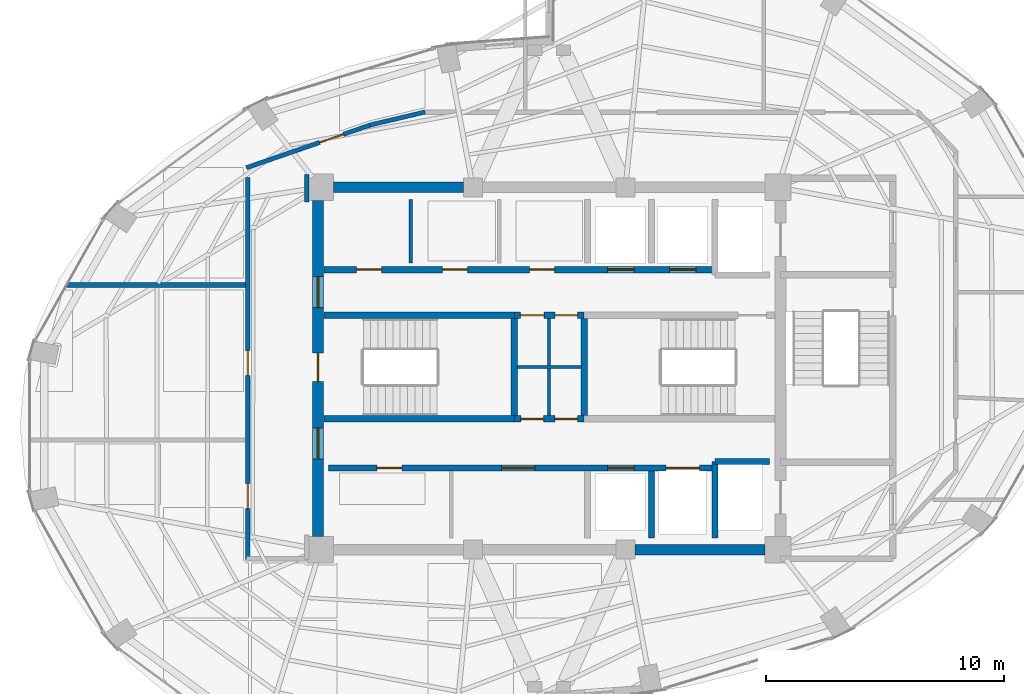
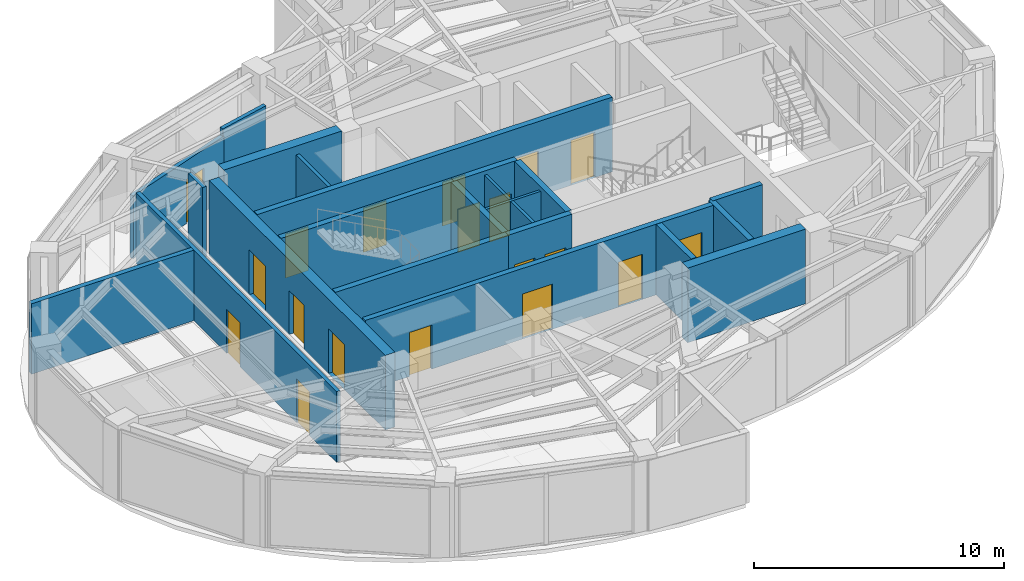
# One storey, part 19 of 23: 22 walls, 19 doors, 19 openings.
"""IFC4 building model written with IfcOpenShell, lengths in metres."""

from ifc_helpers import new_model, si_unit, direction, frame, frame_2d, origin, place, context, subcontext, project, spatial, rectangle, extrude, material, layer, layer_set, type_object, element, fill, save


model = new_model("IFC4")

# Units and contexts
model_context = context("Model", 3, precision=1e-05, world=origin(), true_north=direction((0.0, 1.0)))
body_context = subcontext(model_context, "Body", "Model", "MODEL_VIEW")
ifc_project = project(units=[si_unit("LENGTHUNIT", "METRE"), si_unit("AREAUNIT", "SQUARE_METRE"), si_unit("VOLUMEUNIT", "CUBIC_METRE"), si_unit("PLANEANGLEUNIT", "RADIAN"), si_unit("MASSUNIT", "GRAM", prefix="KILO")], contexts=[model_context])

# Site, building, storey
site_placement = place(None, origin())
site = spatial("IfcSite", under=ifc_project, at=site_placement, CompositionType="ELEMENT")
building_placement = place(site_placement, origin())
building = spatial("IfcBuilding", under=site, at=building_placement, Name="Lazwardi Medical Tower", CompositionType="ELEMENT")
storey_placement = place(building_placement, frame((0.0, 0.0, 262.320068359375)))
storey = spatial("IfcBuildingStorey", under=building, at=storey_placement, Name="L68", CompositionType="ELEMENT", Elevation=262.320068359375)

# Wall, opening, door
ifc_material_1 = material(Name="Fire-rated gypsum board on steel stud", Category="steel")
ifc_layer_1 = layer(ifc_material_1, 0.179931640625)
ifc_layer_set_1 = layer_set([ifc_layer_1], Name="Fire-rated gypsum board on steel stud")
wall_type_1 = type_object("IfcWallType", Name="WL-COR-180", PredefinedType="PARTITIONING", material=ifc_layer_set_1)
wall_1_placement = place(storey_placement, frame((23.294189453125, 36.422119140625, 0.0), z_axis=(0.0, 0.0, 1.0), x_axis=(0.945493277461, 0.325641616316, 0.0)))
wall_1 = element("IfcWall", 1, at=wall_1_placement, inside=storey, type_object=wall_type_1, Name="L68 Corridor partition 1", PredefinedType="PARTITIONING", context=body_context, shape_type="SweptSolid", body=[
    extrude(rectangle(XDim=5.5615234375, YDim=0.179931640625, at=frame_2d((2.78076171875, 0.0))), origin(), (0.0, 0.0, 1.0), 3.072998046875),
])
opening_1_placement = place(wall_1_placement, frame((3.255859375, 0.0, 0.0)))
opening_1 = element("IfcOpeningElement", 2, at=opening_1_placement, cuts=wall_1, Name="Opening D-L68-020", PredefinedType="OPENING", context=body_context, shape_type="SweptSolid", body=[
    extrude(rectangle(XDim=1.050048828125, YDim=2.14990234375, at=frame_2d((0.52490234375, 1.074951171875))), frame((0.0, 0.099853515625, 0.0), z_axis=(0.0, -1.0, 0.0), x_axis=(1.0, 0.0, 0.0)), (0.0, 0.0, 1.0), 0.199951171875),
])
ifc_material_2 = material(Name="Anti-microbial laminate hospital leaf")
door_type_1 = type_object("IfcDoorType", Name="DR-CLN-1050", OperationType="NOTDEFINED", PredefinedType="DOOR", material=ifc_material_2)
door_1_placement = place(opening_1_placement, origin())
door_1 = element("IfcDoor", 3, at=door_1_placement, inside=storey, type_object=door_type_1, Name="L68 Medical Duty Staff Room Door 07", OperationType="SINGLE_SWING_RIGHT", OverallHeight=2.14990234375, OverallWidth=1.050048828125, PredefinedType="DOOR", context=body_context, shape_type="SweptSolid", body=[
    extrude(rectangle(XDim=1.050048828125, YDim=2.14990234375, at=frame_2d((0.52490234375, 1.074951171875))), frame((0.0, 0.02490234375, 0.0), z_axis=(0.0, -1.0, 0.0), x_axis=(1.0, 0.0, 0.0)), (0.0, 0.0, 1.0), 0.050048828125),
])
fill(opening_1, door_1)

# Walls
wall_2_placement = place(storey_placement, frame((28.475830078125, 38.2109375, 0.0), z_axis=(0.0, 0.0, 1.0), x_axis=(0.973030562203, 0.230676234189, 0.0)))
element("IfcWall", 4, at=wall_2_placement, inside=storey, type_object=wall_type_1, Name="L68 Corridor partition 2", PredefinedType="PARTITIONING", context=body_context, shape_type="SweptSolid", body=[
    extrude(rectangle(XDim=2.377197265625, YDim=0.179931640625, at=frame_2d((1.1884765625, 0.0))), origin(), (0.0, 0.0, 1.0), 3.447998046875),
])
wall_3_placement = place(storey_placement, frame((25.830078125, 36.139892578125, 0.0), z_axis=(0.0, 0.0, 1.0), x_axis=(0.0, -1.0, 0.0)))
element("IfcWall", 5, at=wall_3_placement, inside=storey, type_object=wall_type_1, Name="L68 Corridor partition 7", PredefinedType="PARTITIONING", context=body_context, shape_type="SweptSolid", body=[
    extrude(rectangle(XDim=1.14990234375, YDim=0.179931640625, at=frame_2d((0.574951171875, 0.0))), origin(), (0.0, 0.0, 1.0), 3.447998046875),
])

# Wall, openings, doors
wall_4_placement = place(storey_placement, frame((23.35009765625, 19.97998046875, 0.0), z_axis=(0.0, 0.0, 1.0), x_axis=(0.0, 1.0, 0.0)))
wall_4 = element("IfcWall", 6, at=wall_4_placement, inside=storey, type_object=wall_type_1, Name="L68 Corridor partition 10", PredefinedType="PARTITIONING", context=body_context, shape_type="SweptSolid", body=[
    extrude(rectangle(XDim=16.04248046875, YDim=0.179931640625, at=frame_2d((8.021240234375, 0.0))), origin(), (0.0, 0.0, 1.0), 3.447998046875),
])
opening_2_placement = place(wall_4_placement, frame((2.14404296875, 0.0, 0.0)))
opening_2 = element("IfcOpeningElement", 7, at=opening_2_placement, cuts=wall_4, Name="Opening D-L68-014", PredefinedType="OPENING", context=body_context, shape_type="SweptSolid", body=[
    extrude(rectangle(XDim=1.050048828125, YDim=2.14990234375, at=frame_2d((0.52490234375, 1.074951171875))), frame((0.0, 0.099853515625, 0.0), z_axis=(0.0, -1.0, 0.0), x_axis=(1.0, 0.0, 0.0)), (0.0, 0.0, 1.0), 0.199951171875),
])
opening_3_placement = place(wall_4_placement, frame((7.7275390625, 0.0, 0.0)))
opening_3 = element("IfcOpeningElement", 8, at=opening_3_placement, cuts=wall_4, Name="Opening D-L68-021", PredefinedType="OPENING", context=body_context, shape_type="SweptSolid", body=[
    extrude(rectangle(XDim=1.050048828125, YDim=2.14990234375, at=frame_2d((0.52490234375, 1.074951171875))), frame((0.0, 0.099853515625, 0.0), z_axis=(0.0, -1.0, 0.0), x_axis=(1.0, 0.0, 0.0)), (0.0, 0.0, 1.0), 0.199951171875),
])
door_2_placement = place(opening_2_placement, origin())
door_2 = element("IfcDoor", 9, at=door_2_placement, inside=storey, type_object=door_type_1, Name="L68 Medical Duty Staff Room Door 01", OperationType="SINGLE_SWING_RIGHT", OverallHeight=2.14990234375, OverallWidth=1.050048828125, PredefinedType="DOOR", context=body_context, shape_type="SweptSolid", body=[
    extrude(rectangle(XDim=1.050048828125, YDim=2.14990234375, at=frame_2d((0.52490234375, 1.074951171875))), frame((0.0, 0.02490234375, 0.0), z_axis=(0.0, -1.0, 0.0), x_axis=(1.0, 0.0, 0.0)), (0.0, 0.0, 1.0), 0.050048828125),
])
fill(opening_2, door_2)
door_3_placement = place(opening_3_placement, origin())
door_3 = element("IfcDoor", 10, at=door_3_placement, inside=storey, type_object=door_type_1, Name="L68 Medical Duty Staff Room Door 08", OperationType="SINGLE_SWING_LEFT", OverallHeight=2.14990234375, OverallWidth=1.050048828125, PredefinedType="DOOR", context=body_context, shape_type="SweptSolid", body=[
    extrude(rectangle(XDim=1.050048828125, YDim=2.14990234375, at=frame_2d((0.52490234375, 1.074951171875))), frame((0.0, 0.02490234375, 0.0), z_axis=(0.0, -1.0, 0.0), x_axis=(1.0, 0.0, 0.0)), (0.0, 0.0, 1.0), 0.050048828125),
])
fill(opening_3, door_3)

ifc_material_3 = material(Name="Concrete C60/75", Category="concrete")
ifc_layer_2 = layer(ifc_material_3, 0.449951171875)
ifc_layer_set_2 = layer_set([ifc_layer_2], Name="Concrete C60/75")
wall_type_2 = type_object("IfcWallType", Name="WL-CORE-450", PredefinedType="SHEAR", material=ifc_layer_set_2)
wall_5_placement = place(storey_placement, frame((26.300048828125, 20.949951171875, 0.0), z_axis=(0.0, 0.0, 1.0), x_axis=(0.0, 1.0, 0.0)))
wall_5 = element("IfcWall", 11, at=wall_5_placement, inside=storey, type_object=wall_type_2, Name="Core wall CW-S4 west L68", PredefinedType="SHEAR", context=body_context, shape_type="SweptSolid", body=[
    extrude(rectangle(XDim=14.10009765625, YDim=0.449951171875, at=frame_2d((7.050048828125, 0.0))), origin(), (0.0, 0.0, 1.0), 3.64794921875),
])
opening_4_placement = place(wall_5_placement, frame((6.5, 0.0, 0.0)))
opening_4 = element("IfcOpeningElement", 12, at=opening_4_placement, cuts=wall_5, Name="Opening D-L68-022", PredefinedType="OPENING", context=body_context, shape_type="SweptSolid", body=[
    extrude(rectangle(XDim=1.199951171875, YDim=2.14990234375, at=frame_2d((0.60009765625, 1.074951171875))), frame((0.0, 0.23486328125, 0.0), z_axis=(0.0, -1.0, 0.0), x_axis=(1.0, 0.0, 0.0)), (0.0, 0.0, 1.0), 0.469970703125),
])
opening_5_placement = place(wall_5_placement, frame((9.60009765625, 0.0, 0.0)))
opening_5 = element("IfcOpeningElement", 13, at=opening_5_placement, cuts=wall_5, Name="Opening D-L68-012", PredefinedType="OPENING", context=body_context, shape_type="SweptSolid", body=[
    extrude(rectangle(XDim=1.300048828125, YDim=2.199951171875, at=frame_2d((0.64990234375, 1.10009765625))), frame((0.0, 0.23486328125, 0.0), z_axis=(0.0, -1.0, 0.0), x_axis=(1.0, 0.0, 0.0)), (0.0, 0.0, 1.0), 0.469970703125),
])
opening_6_placement = place(wall_5_placement, frame((3.260009765625, 0.0, 0.0)))
opening_6 = element("IfcOpeningElement", 14, at=opening_6_placement, cuts=wall_5, Name="Opening D-L68-013", PredefinedType="OPENING", context=body_context, shape_type="SweptSolid", body=[
    extrude(rectangle(XDim=1.300048828125, YDim=2.199951171875, at=frame_2d((0.64990234375, 1.10009765625))), frame((0.0, 0.23486328125, 0.0), z_axis=(0.0, -1.0, 0.0), x_axis=(1.0, 0.0, 0.0)), (0.0, 0.0, 1.0), 0.469970703125),
])
ifc_material_4 = material(Name="Fire-rated steel leaf and frame", Category="steel")
door_type_2 = type_object("IfcDoorType", Name="DR-FFL-1300", OperationType="NOTDEFINED", PredefinedType="DOOR", material=ifc_material_4)
door_4_placement = place(opening_5_placement, origin())
door_4 = element("IfcDoor", 15, at=door_4_placement, inside=storey, type_object=door_type_2, Name="L68 North Lift Lobby Door", OperationType="SINGLE_SWING_RIGHT", OverallHeight=2.199951171875, OverallWidth=1.300048828125, PredefinedType="DOOR", context=body_context, shape_type="SweptSolid", body=[
    extrude(rectangle(XDim=1.300048828125, YDim=2.199951171875, at=frame_2d((0.64990234375, 1.10009765625))), frame((0.0, 0.02490234375, 0.0), z_axis=(0.0, -1.0, 0.0), x_axis=(1.0, 0.0, 0.0)), (0.0, 0.0, 1.0), 0.050048828125),
])
fill(opening_5, door_4)
door_5_placement = place(opening_6_placement, origin())
door_5 = element("IfcDoor", 16, at=door_5_placement, inside=storey, type_object=door_type_2, Name="L68 South Lift Lobby Door", OperationType="SINGLE_SWING_LEFT", OverallHeight=2.199951171875, OverallWidth=1.300048828125, PredefinedType="DOOR", context=body_context, shape_type="SweptSolid", body=[
    extrude(rectangle(XDim=1.300048828125, YDim=2.199951171875, at=frame_2d((0.64990234375, 1.10009765625))), frame((0.0, 0.02490234375, 0.0), z_axis=(0.0, -1.0, 0.0), x_axis=(1.0, 0.0, 0.0)), (0.0, 0.0, 1.0), 0.050048828125),
])
fill(opening_6, door_5)
door_type_3 = type_object("IfcDoorType", Name="DR-STR-1200", OperationType="NOTDEFINED", PredefinedType="DOOR", material=ifc_material_4)
door_6_placement = place(opening_4_placement, origin())
door_6 = element("IfcDoor", 17, at=door_6_placement, inside=storey, type_object=door_type_3, Name="L68 Exit Stair ST1 Door", OperationType="SINGLE_SWING_RIGHT", OverallHeight=2.14990234375, OverallWidth=1.199951171875, PredefinedType="DOOR", context=body_context, shape_type="SweptSolid", body=[
    extrude(rectangle(XDim=1.199951171875, YDim=2.14990234375, at=frame_2d((0.60009765625, 1.074951171875))), frame((0.0, 0.02490234375, 0.0), z_axis=(0.0, -1.0, 0.0), x_axis=(1.0, 0.0, 0.0)), (0.0, 0.0, 1.0), 0.050048828125),
])
fill(opening_4, door_6)

# Walls
for number, where, z_axis, x_axis, name in (
    (18, (26.949951171875, 35.60009765625, 0.0), (0.0, 0.0, 1.0), (1.0, 0.0, 0.0), "Core wall CW-S4 N1 L68"),
    (19, (39.60009765625, 20.39990234375, 0.0), (0.0, 0.0, 1.0), (1.0, 0.0, 0.0), "Core wall CW-S4 S3 L68"),
):
    element("IfcWall", number, at=place(storey_placement, frame(where, z_axis=z_axis, x_axis=x_axis)), inside=storey, type_object=wall_type_2, Name=name, PredefinedType="SHEAR", context=body_context, shape_type="SweptSolid", body=[
        extrude(rectangle(XDim=5.449951171875, YDim=0.449951171875, at=frame_2d((2.72509765625, 0.0))), origin(), (0.0, 0.0, 1.0), 3.64794921875),
    ])
ifc_material_5 = material(Name="Moisture-resistant gypsum board partition")
ifc_layer_3 = layer(ifc_material_5, 0.125)
ifc_layer_set_3 = layer_set([ifc_layer_3], Name="Moisture-resistant gypsum board partition")
wall_type_3 = type_object("IfcWallType", Name="WL-ENS-125", PredefinedType="PARTITIONING", material=ifc_layer_set_3)
wall_6_placement = place(storey_placement, frame((34.64990234375, 28.06005859375, 0.0), z_axis=(0.0, 0.0, 1.0), x_axis=(1.0, 0.0, 0.0)))
element("IfcWall", 20, at=wall_6_placement, inside=storey, type_object=wall_type_3, Name="L68 Core 4-way H divider", PredefinedType="PARTITIONING", context=body_context, shape_type="SweptSolid", body=[
    extrude(rectangle(XDim=2.7001953125, YDim=0.125, at=frame_2d((1.35009765625, 0.0))), origin(), (0.0, 0.0, 1.0), 3.447998046875),
])
wall_7_placement = place(storey_placement, frame((36.0, 26.02001953125, 0.0), z_axis=(0.0, 0.0, 1.0), x_axis=(0.0, 1.0, 0.0)))
element("IfcWall", 21, at=wall_7_placement, inside=storey, type_object=wall_type_3, Name="L68 Core 4-way V divider", PredefinedType="PARTITIONING", context=body_context, shape_type="SweptSolid", body=[
    extrude(rectangle(XDim=4.080078125, YDim=0.125, at=frame_2d((2.0400390625, 0.0))), origin(), (0.0, 0.0, 1.0), 3.447998046875),
])

# Wall, openings, doors
ifc_material_6 = material(Name="Autoclaved aerated concrete blockwork", Category="masonry")
ifc_layer_4 = layer(ifc_material_6, 0.25)
ifc_layer_set_4 = layer_set([ifc_layer_4], Name="Autoclaved aerated concrete blockwork")
wall_type_4 = type_object("IfcWallType", Name="WL-SHAFT-250", PredefinedType="SOLIDWALL", material=ifc_layer_set_4)
wall_8_placement = place(storey_placement, frame((26.75, 23.830078125, 0.0), z_axis=(0.0, 0.0, 1.0), x_axis=(1.0, 0.0, 0.0)))
wall_8 = element("IfcWall", 22, at=wall_8_placement, inside=storey, type_object=wall_type_4, Name="L68 South lift bank front wall", PredefinedType="SOLIDWALL", context=body_context, shape_type="SweptSolid", body=[
    extrude(rectangle(XDim=16.199951171875, YDim=0.25, at=frame_2d((8.10009765625, 0.0))), origin(), (0.0, 0.0, 1.0), 3.447998046875),
])
opening_7_placement = place(wall_8_placement, frame((2.02490234375, 0.0, 0.0)))
opening_7 = element("IfcOpeningElement", 23, at=opening_7_placement, cuts=wall_8, Name="Opening D-L68-008", PredefinedType="OPENING", context=body_context, shape_type="SweptSolid", body=[
    extrude(rectangle(XDim=1.050048828125, YDim=2.14990234375, at=frame_2d((0.52490234375, 1.074951171875))), frame((0.0, 0.135009765625, 0.0), z_axis=(0.0, -1.0, 0.0), x_axis=(1.0, 0.0, 0.0)), (0.0, 0.0, 1.0), 0.27001953125),
])
opening_8_placement = place(wall_8_placement, frame((7.25, 0.0, 0.0)))
opening_8 = element("IfcOpeningElement", 24, at=opening_8_placement, cuts=wall_8, Name="Opening D-L68-009", PredefinedType="OPENING", context=body_context, shape_type="SweptSolid", body=[
    extrude(rectangle(XDim=1.39990234375, YDim=2.199951171875, at=frame_2d((0.699951171875, 1.10009765625))), frame((0.0, 0.135009765625, 0.0), z_axis=(0.0, -1.0, 0.0), x_axis=(1.0, 0.0, 0.0)), (0.0, 0.0, 1.0), 0.27001953125),
])
opening_9_placement = place(wall_8_placement, frame((11.699951171875, 0.0, 0.0)))
opening_9 = element("IfcOpeningElement", 25, at=opening_9_placement, cuts=wall_8, Name="Opening LD-L68-006", PredefinedType="OPENING", context=body_context, shape_type="SweptSolid", body=[
    extrude(rectangle(XDim=1.10009765625, YDim=2.199951171875, at=frame_2d((0.550048828125, 1.10009765625))), frame((0.0, 0.135009765625, 0.0), z_axis=(0.0, -1.0, 0.0), x_axis=(1.0, 0.0, 0.0)), (0.0, 0.0, 1.0), 0.27001953125),
])
opening_10_placement = place(wall_8_placement, frame((14.14990234375, 0.0, 0.0)))
opening_10 = element("IfcOpeningElement", 26, at=opening_10_placement, cuts=wall_8, Name="Opening LD-L68-003", PredefinedType="OPENING", context=body_context, shape_type="SweptSolid", body=[
    extrude(rectangle(XDim=1.39990234375, YDim=2.300048828125, at=frame_2d((0.699951171875, 1.14990234375))), frame((0.0, 0.135009765625, 0.0), z_axis=(0.0, -1.0, 0.0), x_axis=(1.0, 0.0, 0.0)), (0.0, 0.0, 1.0), 0.27001953125),
])
door_type_4 = type_object("IfcDoorType", Name="DR-BED-1400", OperationType="NOTDEFINED", PredefinedType="DOOR", material=ifc_material_2)
door_7_placement = place(opening_8_placement, origin())
door_7 = element("IfcDoor", 27, at=door_7_placement, inside=storey, type_object=door_type_4, Name="L68 Dialysis Door", OperationType="SINGLE_SWING_RIGHT", OverallHeight=2.199951171875, OverallWidth=1.39990234375, PredefinedType="DOOR", context=body_context, shape_type="SweptSolid", body=[
    extrude(rectangle(XDim=1.39990234375, YDim=2.199951171875, at=frame_2d((0.699951171875, 1.10009765625))), frame((0.0, 0.02490234375, 0.0), z_axis=(0.0, -1.0, 0.0), x_axis=(1.0, 0.0, 0.0)), (0.0, 0.0, 1.0), 0.050048828125),
])
fill(opening_8, door_7)
door_8_placement = place(opening_7_placement, origin())
door_8 = element("IfcDoor", 28, at=door_8_placement, inside=storey, type_object=door_type_1, Name="L68 Clinical Laboratory Door", OperationType="SINGLE_SWING_LEFT", OverallHeight=2.14990234375, OverallWidth=1.050048828125, PredefinedType="DOOR", context=body_context, shape_type="SweptSolid", body=[
    extrude(rectangle(XDim=1.050048828125, YDim=2.14990234375, at=frame_2d((0.52490234375, 1.074951171875))), frame((0.0, 0.02490234375, 0.0), z_axis=(0.0, -1.0, 0.0), x_axis=(1.0, 0.0, 0.0)), (0.0, 0.0, 1.0), 0.050048828125),
])
fill(opening_7, door_8)
ifc_material_7 = material(Name="Brushed bronze stainless steel landing door", Category="steel")
door_type_5 = type_object("IfcDoorType", Name="DR-LFT-1100", OperationType="NOTDEFINED", PredefinedType="DOOR", material=ifc_material_7)
door_9_placement = place(opening_9_placement, origin())
door_9 = element("IfcDoor", 29, at=door_9_placement, inside=storey, type_object=door_type_5, Name="L68 Lift Landing Door PL-11", OperationType="SLIDING_TO_LEFT", OverallHeight=2.199951171875, OverallWidth=1.10009765625, PredefinedType="DOOR", context=body_context, shape_type="SweptSolid", body=[
    extrude(rectangle(XDim=1.10009765625, YDim=2.199951171875, at=frame_2d((0.550048828125, 1.10009765625))), frame((0.0, 0.02490234375, 0.0), z_axis=(0.0, -1.0, 0.0), x_axis=(1.0, 0.0, 0.0)), (0.0, 0.0, 1.0), 0.050048828125),
])
fill(opening_9, door_9)
ifc_material_8 = material(Name="Brushed stainless steel bed-lift landing door", Category="steel")
door_type_6 = type_object("IfcDoorType", Name="DR-LFT-1400", OperationType="NOTDEFINED", PredefinedType="DOOR", material=ifc_material_8)
door_10_placement = place(opening_10_placement, origin())
door_10 = element("IfcDoor", 30, at=door_10_placement, inside=storey, type_object=door_type_6, Name="L68 Lift Landing Door FL-03", OperationType="SLIDING_TO_LEFT", OverallHeight=2.300048828125, OverallWidth=1.39990234375, PredefinedType="DOOR", context=body_context, shape_type="SweptSolid", body=[
    extrude(rectangle(XDim=1.39990234375, YDim=2.300048828125, at=frame_2d((0.699951171875, 1.14990234375))), frame((0.0, 0.02490234375, 0.0), z_axis=(0.0, -1.0, 0.0), x_axis=(1.0, 0.0, 0.0)), (0.0, 0.0, 1.0), 0.050048828125),
])
fill(opening_10, door_10)

# Walls
wall_9_placement = place(storey_placement, frame((42.949951171875, 20.89990234375, 0.0), z_axis=(0.0, 0.0, 1.0), x_axis=(0.0, 1.0, 0.0)))
element("IfcWall", 31, at=wall_9_placement, inside=storey, type_object=wall_type_4, Name="L68 FL-02 West shaft wall", PredefinedType="SOLIDWALL", context=body_context, shape_type="SweptSolid", body=[
    extrude(rectangle(XDim=3.2001953125, YDim=0.25, at=frame_2d((1.60009765625, 0.0))), origin(), (0.0, 0.0, 1.0), 3.447998046875),
])
wall_10_placement = place(storey_placement, frame((42.949951171875, 24.10009765625, 0.0), z_axis=(0.0, 0.0, 1.0), x_axis=(1.0, 0.0, 0.0)))
element("IfcWall", 32, at=wall_10_placement, inside=storey, type_object=wall_type_4, Name="L68 FL-02 North shaft wall", PredefinedType="SOLIDWALL", context=body_context, shape_type="SweptSolid", body=[
    extrude(rectangle(XDim=2.300048828125, YDim=0.25, at=frame_2d((1.14990234375, 0.0))), origin(), (0.0, 0.0, 1.0), 3.447998046875),
])
wall_11_placement = place(storey_placement, frame((40.300048828125, 20.89990234375, 0.0), z_axis=(0.0, 0.0, 1.0), x_axis=(0.0, 1.0, 0.0)))
element("IfcWall", 33, at=wall_11_placement, inside=storey, type_object=wall_type_4, Name="L68 South hoistway divider", PredefinedType="SOLIDWALL", context=body_context, shape_type="SweptSolid", body=[
    extrude(rectangle(XDim=2.800048828125, YDim=0.25, at=frame_2d((1.39990234375, 0.0))), origin(), (0.0, 0.0, 1.0), 3.447998046875),
])
ifc_layer_5 = layer(ifc_material_1, 0.219970703125)
ifc_layer_set_5 = layer_set([ifc_layer_5], Name="Fire-rated gypsum board on steel stud")
wall_type_5 = type_object("IfcWallType", Name="WL-SMK-220", PredefinedType="PARTITIONING", material=ifc_layer_set_5)
wall_12_placement = place(storey_placement, frame((15.764892578125, 31.5, 0.0), z_axis=(0.0, 0.0, 1.0), x_axis=(1.0, 0.0, 0.0)))
element("IfcWall", 34, at=wall_12_placement, inside=storey, type_object=wall_type_5, Name="L68 Room partition 2", PredefinedType="PARTITIONING", context=body_context, shape_type="SweptSolid", body=[
    extrude(rectangle(XDim=7.4951171875, YDim=0.219970703125, at=frame_2d((3.74755859375, 0.0))), origin(), (0.0, 0.0, 1.0), 3.447998046875),
])
ifc_material_9 = material(Name="Concrete C50/60", Category="concrete")
ifc_layer_6 = layer(ifc_material_9, 0.27001953125)
ifc_layer_set_6 = layer_set([ifc_layer_6], Name="Concrete C50/60")
wall_type_6 = type_object("IfcWallType", Name="WL-STR-250", PredefinedType="SHEAR", material=ifc_layer_set_6)
wall_13_placement = place(storey_placement, frame((26.550048828125, 30.235107421875, 0.0), z_axis=(0.0, 0.0, 1.0), x_axis=(1.0, 0.0, 0.0)))
element("IfcWall", 35, at=wall_13_placement, inside=storey, type_object=wall_type_6, Name="L68 ST1 North shear shaft wall SW-S1", PredefinedType="SHEAR", context=body_context, shape_type="SweptSolid", body=[
    extrude(rectangle(XDim=7.98486328125, YDim=0.27001953125, at=frame_2d((3.992431640625, 0.0))), origin(), (0.0, 0.0, 1.0), 3.64794921875),
])

# Wall, openings, doors
wall_14_placement = place(storey_placement, frame((34.534912109375, 30.235107421875, 0.0), z_axis=(0.0, 0.0, 1.0), x_axis=(1.0, 0.0, 0.0)))
wall_14 = element("IfcWall", 36, at=wall_14_placement, inside=storey, type_object=wall_type_6, Name="L68 Core service North shear wall SW-S1", PredefinedType="SHEAR", context=body_context, shape_type="SweptSolid", body=[
    extrude(rectangle(XDim=2.93017578125, YDim=0.27001953125, at=frame_2d((1.465087890625, 0.0))), origin(), (0.0, 0.0, 1.0), 3.64794921875),
])
opening_11_placement = place(wall_14_placement, frame((0.2548828125, 0.0, 0.0)))
opening_11 = element("IfcOpeningElement", 37, at=opening_11_placement, cuts=wall_14, Name="Opening D-L68-003", PredefinedType="OPENING", context=body_context, shape_type="SweptSolid", body=[
    extrude(rectangle(XDim=1.0, YDim=2.10009765625, at=frame_2d((0.5, 1.050048828125))), frame((0.0, 0.14501953125, 0.0), z_axis=(0.0, -1.0, 0.0), x_axis=(1.0, 0.0, 0.0)), (0.0, 0.0, 1.0), 0.2900390625),
])
opening_12_placement = place(wall_14_placement, frame((1.699951171875, 0.0, 0.0)))
opening_12 = element("IfcOpeningElement", 38, at=opening_12_placement, cuts=wall_14, Name="Opening D-L68-004", PredefinedType="OPENING", context=body_context, shape_type="SweptSolid", body=[
    extrude(rectangle(XDim=0.949951171875, YDim=2.10009765625, at=frame_2d((0.47509765625, 1.050048828125))), frame((0.0, 0.14501953125, 0.0), z_axis=(0.0, -1.0, 0.0), x_axis=(1.0, 0.0, 0.0)), (0.0, 0.0, 1.0), 0.2900390625),
])
ifc_material_10 = material(Name="Moisture-resistant laminate door leaf")
door_type_7 = type_object("IfcDoorType", Name="DR-AWC-1000", OperationType="NOTDEFINED", PredefinedType="DOOR", material=ifc_material_10)
door_11_placement = place(opening_11_placement, origin())
door_11 = element("IfcDoor", 39, at=door_11_placement, inside=storey, type_object=door_type_7, Name="L68 Accessible WC Door", OperationType="SINGLE_SWING_RIGHT", OverallHeight=2.10009765625, OverallWidth=1.0, PredefinedType="DOOR", context=body_context, shape_type="SweptSolid", body=[
    extrude(rectangle(XDim=1.0, YDim=2.10009765625, at=frame_2d((0.5, 1.050048828125))), frame((0.0, 0.02490234375, 0.0), z_axis=(0.0, -1.0, 0.0), x_axis=(1.0, 0.0, 0.0)), (0.0, 0.0, 1.0), 0.050048828125),
])
fill(opening_11, door_11)
door_type_8 = type_object("IfcDoorType", Name="DR-ENS-950", OperationType="NOTDEFINED", PredefinedType="DOOR", material=ifc_material_10)
door_12_placement = place(opening_12_placement, origin())
door_12 = element("IfcDoor", 40, at=door_12_placement, inside=storey, type_object=door_type_8, Name="L68 Clean Utility Door", OperationType="SINGLE_SWING_LEFT", OverallHeight=2.10009765625, OverallWidth=0.949951171875, PredefinedType="DOOR", context=body_context, shape_type="SweptSolid", body=[
    extrude(rectangle(XDim=0.949951171875, YDim=2.10009765625, at=frame_2d((0.47509765625, 1.050048828125))), frame((0.0, 0.02490234375, 0.0), z_axis=(0.0, -1.0, 0.0), x_axis=(1.0, 0.0, 0.0)), (0.0, 0.0, 1.0), 0.050048828125),
])
fill(opening_12, door_12)

# Wall
wall_15_placement = place(storey_placement, frame((26.550048828125, 25.885009765625, 0.0), z_axis=(0.0, 0.0, 1.0), x_axis=(1.0, 0.0, 0.0)))
element("IfcWall", 41, at=wall_15_placement, inside=storey, type_object=wall_type_6, Name="L68 ST1 South shear shaft wall SW-S1", PredefinedType="SHEAR", context=body_context, shape_type="SweptSolid", body=[
    extrude(rectangle(XDim=7.98486328125, YDim=0.27001953125, at=frame_2d((3.992431640625, 0.0))), origin(), (0.0, 0.0, 1.0), 3.64794921875),
])

# Wall, openings, doors
wall_16_placement = place(storey_placement, frame((34.534912109375, 25.885009765625, 0.0), z_axis=(0.0, 0.0, 1.0), x_axis=(1.0, 0.0, 0.0)))
wall_16 = element("IfcWall", 42, at=wall_16_placement, inside=storey, type_object=wall_type_6, Name="L68 Core service South shear wall SW-S1", PredefinedType="SHEAR", context=body_context, shape_type="SweptSolid", body=[
    extrude(rectangle(XDim=2.93017578125, YDim=0.27001953125, at=frame_2d((1.465087890625, 0.0))), origin(), (0.0, 0.0, 1.0), 3.64794921875),
])
opening_13_placement = place(wall_16_placement, frame((0.280029296875, 0.0, 0.0)))
opening_13 = element("IfcOpeningElement", 43, at=opening_13_placement, cuts=wall_16, Name="Opening D-L68-001", PredefinedType="OPENING", context=body_context, shape_type="SweptSolid", body=[
    extrude(rectangle(XDim=0.949951171875, YDim=2.10009765625, at=frame_2d((0.47509765625, 1.050048828125))), frame((0.0, 0.14501953125, 0.0), z_axis=(0.0, -1.0, 0.0), x_axis=(1.0, 0.0, 0.0)), (0.0, 0.0, 1.0), 0.2900390625),
])
opening_14_placement = place(wall_16_placement, frame((1.699951171875, 0.0, 0.0)))
opening_14 = element("IfcOpeningElement", 44, at=opening_14_placement, cuts=wall_16, Name="Opening D-L68-002", PredefinedType="OPENING", context=body_context, shape_type="SweptSolid", body=[
    extrude(rectangle(XDim=0.949951171875, YDim=2.10009765625, at=frame_2d((0.47509765625, 1.050048828125))), frame((0.0, 0.14501953125, 0.0), z_axis=(0.0, -1.0, 0.0), x_axis=(1.0, 0.0, 0.0)), (0.0, 0.0, 1.0), 0.2900390625),
])
door_13_placement = place(opening_13_placement, origin())
door_13 = element("IfcDoor", 45, at=door_13_placement, inside=storey, type_object=door_type_8, Name="L68 Staff WC Door", OperationType="SINGLE_SWING_RIGHT", OverallHeight=2.10009765625, OverallWidth=0.949951171875, PredefinedType="DOOR", context=body_context, shape_type="SweptSolid", body=[
    extrude(rectangle(XDim=0.949951171875, YDim=2.10009765625, at=frame_2d((0.47509765625, 1.050048828125))), frame((0.0, 0.02490234375, 0.0), z_axis=(0.0, -1.0, 0.0), x_axis=(1.0, 0.0, 0.0)), (0.0, 0.0, 1.0), 0.050048828125),
])
fill(opening_13, door_13)
door_14_placement = place(opening_14_placement, origin())
door_14 = element("IfcDoor", 46, at=door_14_placement, inside=storey, type_object=door_type_8, Name="L68 Comms Room Door", OperationType="SINGLE_SWING_LEFT", OverallHeight=2.10009765625, OverallWidth=0.949951171875, PredefinedType="DOOR", context=body_context, shape_type="SweptSolid", body=[
    extrude(rectangle(XDim=0.949951171875, YDim=2.10009765625, at=frame_2d((0.47509765625, 1.050048828125))), frame((0.0, 0.02490234375, 0.0), z_axis=(0.0, -1.0, 0.0), x_axis=(1.0, 0.0, 0.0)), (0.0, 0.0, 1.0), 0.050048828125),
])
fill(opening_14, door_14)

# Walls
for number, where, z_axis, x_axis, name in (
    (47, (34.534912109375, 26.02001953125, 0.0), (0.0, 0.0, 1.0), (0.0, 1.0, 0.0), "L68 ST1 East shear shaft wall SW-S1"),
    (48, (37.465087890625, 26.02001953125, 0.0), (0.0, 0.0, 1.0), (0.0, 1.0, 0.0), "L68 ST2 West shear shaft wall SW-S1"),
):
    element("IfcWall", number, at=place(storey_placement, frame(where, z_axis=z_axis, x_axis=x_axis)), inside=storey, type_object=wall_type_6, Name=name, PredefinedType="SHEAR", context=body_context, shape_type="SweptSolid", body=[
        extrude(rectangle(XDim=4.080078125, YDim=0.27001953125, at=frame_2d((2.0400390625, 0.0))), origin(), (0.0, 0.0, 1.0), 3.64794921875),
    ])

# Wall, openings, doors
wall_17_placement = place(storey_placement, frame((26.550048828125, 32.14990234375, 0.0), z_axis=(0.0, 0.0, 1.0), x_axis=(1.0, 0.0, 0.0)))
wall_17 = element("IfcWall", 49, at=wall_17_placement, inside=storey, type_object=wall_type_6, Name="L68 North lift bank shear wall SW-S1", PredefinedType="SHEAR", context=body_context, shape_type="SweptSolid", body=[
    extrude(rectangle(XDim=16.39990234375, YDim=0.27001953125, at=frame_2d((8.199951171875, 0.0))), origin(), (0.0, 0.0, 1.0), 3.64794921875),
])
opening_15_placement = place(wall_17_placement, frame((1.375, 0.0, 0.0)))
opening_15 = element("IfcOpeningElement", 50, at=opening_15_placement, cuts=wall_17, Name="Opening D-L68-005", PredefinedType="OPENING", context=body_context, shape_type="SweptSolid", body=[
    extrude(rectangle(XDim=1.050048828125, YDim=2.14990234375, at=frame_2d((0.52490234375, 1.074951171875))), frame((0.0, 0.14501953125, 0.0), z_axis=(0.0, -1.0, 0.0), x_axis=(1.0, 0.0, 0.0)), (0.0, 0.0, 1.0), 0.2900390625),
])
opening_16_placement = place(wall_17_placement, frame((4.97509765625, 0.0, 0.0)))
opening_16 = element("IfcOpeningElement", 51, at=opening_16_placement, cuts=wall_17, Name="Opening D-L68-006", PredefinedType="OPENING", context=body_context, shape_type="SweptSolid", body=[
    extrude(rectangle(XDim=1.050048828125, YDim=2.14990234375, at=frame_2d((0.52490234375, 1.074951171875))), frame((0.0, 0.14501953125, 0.0), z_axis=(0.0, -1.0, 0.0), x_axis=(1.0, 0.0, 0.0)), (0.0, 0.0, 1.0), 0.2900390625),
])
opening_17_placement = place(wall_17_placement, frame((8.625, 0.0, 0.0)))
opening_17 = element("IfcOpeningElement", 52, at=opening_17_placement, cuts=wall_17, Name="Opening D-L68-007", PredefinedType="OPENING", context=body_context, shape_type="SweptSolid", body=[
    extrude(rectangle(XDim=1.050048828125, YDim=2.14990234375, at=frame_2d((0.52490234375, 1.074951171875))), frame((0.0, 0.14501953125, 0.0), z_axis=(0.0, -1.0, 0.0), x_axis=(1.0, 0.0, 0.0)), (0.0, 0.0, 1.0), 0.2900390625),
])
opening_18_placement = place(wall_17_placement, frame((11.89990234375, 0.0, 0.0)))
opening_18 = element("IfcOpeningElement", 53, at=opening_18_placement, cuts=wall_17, Name="Opening LD-L68-004", PredefinedType="OPENING", context=body_context, shape_type="SweptSolid", body=[
    extrude(rectangle(XDim=1.10009765625, YDim=2.199951171875, at=frame_2d((0.550048828125, 1.10009765625))), frame((0.0, 0.14501953125, 0.0), z_axis=(0.0, -1.0, 0.0), x_axis=(1.0, 0.0, 0.0)), (0.0, 0.0, 1.0), 0.2900390625),
])
opening_19_placement = place(wall_17_placement, frame((14.5, 0.0, 0.0)))
opening_19 = element("IfcOpeningElement", 54, at=opening_19_placement, cuts=wall_17, Name="Opening LD-L68-005", PredefinedType="OPENING", context=body_context, shape_type="SweptSolid", body=[
    extrude(rectangle(XDim=1.10009765625, YDim=2.199951171875, at=frame_2d((0.550048828125, 1.10009765625))), frame((0.0, 0.14501953125, 0.0), z_axis=(0.0, -1.0, 0.0), x_axis=(1.0, 0.0, 0.0)), (0.0, 0.0, 1.0), 0.2900390625),
])
door_15_placement = place(opening_15_placement, origin())
door_15 = element("IfcDoor", 55, at=door_15_placement, inside=storey, type_object=door_type_1, Name="L68 Pantry Door", OperationType="SINGLE_SWING_RIGHT", OverallHeight=2.14990234375, OverallWidth=1.050048828125, PredefinedType="DOOR", context=body_context, shape_type="SweptSolid", body=[
    extrude(rectangle(XDim=1.050048828125, YDim=2.14990234375, at=frame_2d((0.52490234375, 1.074951171875))), frame((0.0, 0.02490234375, 0.0), z_axis=(0.0, -1.0, 0.0), x_axis=(1.0, 0.0, 0.0)), (0.0, 0.0, 1.0), 0.050048828125),
])
fill(opening_15, door_15)
door_16_placement = place(opening_16_placement, origin())
door_16 = element("IfcDoor", 56, at=door_16_placement, inside=storey, type_object=door_type_1, Name="L68 Pharmacy Door", OperationType="SINGLE_SWING_LEFT", OverallHeight=2.14990234375, OverallWidth=1.050048828125, PredefinedType="DOOR", context=body_context, shape_type="SweptSolid", body=[
    extrude(rectangle(XDim=1.050048828125, YDim=2.14990234375, at=frame_2d((0.52490234375, 1.074951171875))), frame((0.0, 0.02490234375, 0.0), z_axis=(0.0, -1.0, 0.0), x_axis=(1.0, 0.0, 0.0)), (0.0, 0.0, 1.0), 0.050048828125),
])
fill(opening_16, door_16)
door_17_placement = place(opening_17_placement, origin())
door_17 = element("IfcDoor", 57, at=door_17_placement, inside=storey, type_object=door_type_1, Name="L68 Consult Door", OperationType="SINGLE_SWING_RIGHT", OverallHeight=2.14990234375, OverallWidth=1.050048828125, PredefinedType="DOOR", context=body_context, shape_type="SweptSolid", body=[
    extrude(rectangle(XDim=1.050048828125, YDim=2.14990234375, at=frame_2d((0.52490234375, 1.074951171875))), frame((0.0, 0.02490234375, 0.0), z_axis=(0.0, -1.0, 0.0), x_axis=(1.0, 0.0, 0.0)), (0.0, 0.0, 1.0), 0.050048828125),
])
fill(opening_17, door_17)
door_18_placement = place(opening_18_placement, origin())
door_18 = element("IfcDoor", 58, at=door_18_placement, inside=storey, type_object=door_type_5, Name="L68 Lift Landing Door PL-09", OperationType="SLIDING_TO_LEFT", OverallHeight=2.199951171875, OverallWidth=1.10009765625, PredefinedType="DOOR", context=body_context, shape_type="SweptSolid", body=[
    extrude(rectangle(XDim=1.10009765625, YDim=2.199951171875, at=frame_2d((0.550048828125, 1.10009765625))), frame((0.0, 0.02490234375, 0.0), z_axis=(0.0, -1.0, 0.0), x_axis=(1.0, 0.0, 0.0)), (0.0, 0.0, 1.0), 0.050048828125),
])
fill(opening_18, door_18)
door_19_placement = place(opening_19_placement, origin())
door_19 = element("IfcDoor", 59, at=door_19_placement, inside=storey, type_object=door_type_5, Name="L68 Lift Landing Door PL-10", OperationType="SLIDING_TO_LEFT", OverallHeight=2.199951171875, OverallWidth=1.10009765625, PredefinedType="DOOR", context=body_context, shape_type="SweptSolid", body=[
    extrude(rectangle(XDim=1.10009765625, YDim=2.199951171875, at=frame_2d((0.550048828125, 1.10009765625))), frame((0.0, 0.02490234375, 0.0), z_axis=(0.0, -1.0, 0.0), x_axis=(1.0, 0.0, 0.0)), (0.0, 0.0, 1.0), 0.050048828125),
])
fill(opening_19, door_19)

# Wall
ifc_material_11 = material(Name="Acoustic gypsum board partition")
ifc_layer_7 = layer(ifc_material_11, 0.14990234375)
ifc_layer_set_7 = layer_set([ifc_layer_7], Name="Acoustic gypsum board partition")
wall_type_7 = type_object("IfcWallType", Name="WL-WRD-150", PredefinedType="PARTITIONING", material=ifc_layer_set_7)
wall_18_placement = place(storey_placement, frame((30.199951171875, 32.419921875, 0.0), z_axis=(0.0, 0.0, 1.0), x_axis=(0.0, 1.0, 0.0)))
element("IfcWall", 60, at=wall_18_placement, inside=storey, type_object=wall_type_7, Name="L68 Freed bay2 N split A", PredefinedType="PARTITIONING", context=body_context, shape_type="SweptSolid", body=[
    extrude(rectangle(XDim=2.68017578125, YDim=0.14990234375, at=frame_2d((1.340087890625, 0.0))), origin(), (0.0, 0.0, 1.0), 3.447998046875),
])

save(model, "model.ifc")
